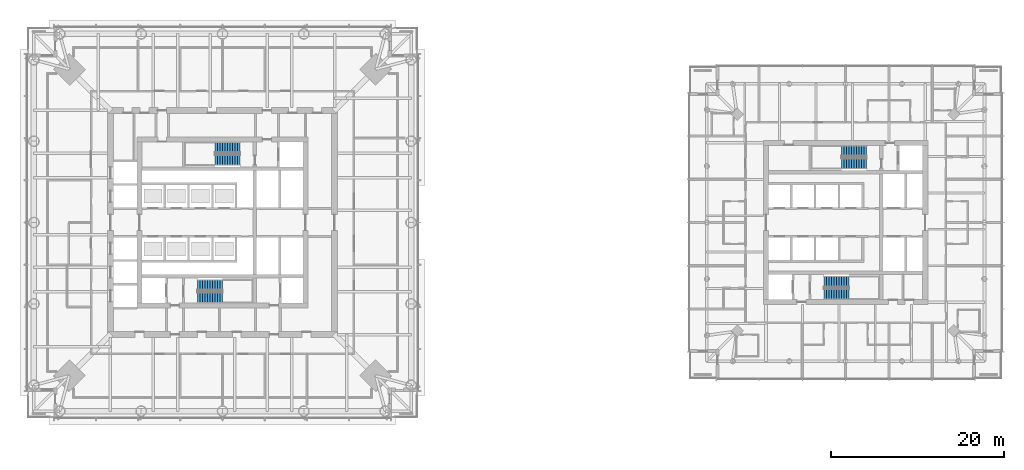
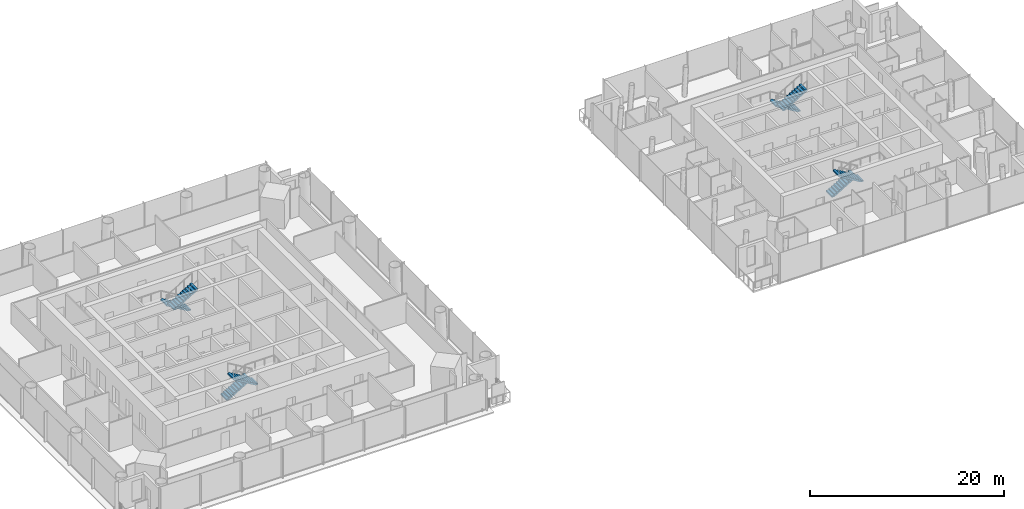
# One storey, part 17 of 27: 8 stair flights, 4 elements without a shape of their own.
"""IFC4 building model written with IfcOpenShell, lengths in metres."""

from ifc_helpers import new_model, si_unit, direction, frame, origin, place, context, subcontext, project, spatial, polyline, outline, extrude, material, type_object, element, aggregate, save


model = new_model("IFC4")

# Units and contexts
model_context = context("Model", 3, precision=1e-05, world=origin(), true_north=direction((0.0, 1.0)))
body_context = subcontext(model_context, "Body", "Model", "MODEL_VIEW")
ifc_project = project(units=[si_unit("LENGTHUNIT", "METRE"), si_unit("AREAUNIT", "SQUARE_METRE"), si_unit("VOLUMEUNIT", "CUBIC_METRE"), si_unit("PLANEANGLEUNIT", "RADIAN"), si_unit("MASSUNIT", "GRAM", prefix="KILO")], contexts=[model_context])

# Site, building, storey
site_placement = place(None, origin())
site = spatial("IfcSite", under=ifc_project, at=site_placement, CompositionType="ELEMENT")
building_placement = place(site_placement, origin())
building = spatial("IfcBuilding", under=site, at=building_placement, Name="Ostroluk Exchange", CompositionType="ELEMENT")
storey_placement = place(building_placement, frame((0.0, 0.0, 89.39990234375)))
storey = spatial("IfcBuildingStorey", under=building, at=storey_placement, Name="L22", CompositionType="ELEMENT", Elevation=89.39990234375)

# Stair, stair flights
ifc_material_1 = material(Name="Concrete C30/37", Category="concrete")
stair_type = type_object("IfcStairType", Name="Exit stair half turn 3800", PredefinedType="HALF_TURN_STAIR", material=ifc_material_1)
stair_1_placement = place(storey_placement, origin())
stair_1 = element("IfcStair", 1, at=stair_1_placement, inside=storey, type_object=stair_type, Name="Stair T1-S1 L22", PredefinedType="HALF_TURN_STAIR")
ifc_material_2 = material(Name="Concrete C30/37", Category="concrete")
stair_flight_type = type_object("IfcStairFlightType", Name="Stair flight 11 risers 172.7 x 290", PredefinedType="STRAIGHT", material=ifc_material_2)
stair_flight_1_placement = place(storey_placement, frame((42.10009765625, 38.77490234375, 0.0), z_axis=(0.0, 0.0, 1.0), x_axis=(1.0, 0.0, 0.0)))
stair_flight_1 = element("IfcStairFlight", 2, at=stair_flight_1_placement, type_object=stair_flight_type, Name="T1-S1 flight 1", NumberOfRisers=11, NumberOfTreads=10, PredefinedType="STRAIGHT", RiserHeight=0.172727273, TreadLength=0.29, context=body_context, shape_type="SweptSolid", body=[
    extrude(outline(polyline([(0.0, 0.0), (0.0, 0.172607421875), (0.2900390625, 0.172607421875), (0.2900390625, 0.345458984375), (0.580078125, 0.345458984375), (0.580078125, 0.51806640625), (0.8701171875, 0.51806640625), (0.8701171875, 0.69091796875), (1.159912109375, 0.69091796875), (1.159912109375, 0.863525390625), (1.449951171875, 0.863525390625), (1.449951171875, 1.036376953125), (1.739990234375, 1.036376953125), (1.739990234375, 1.208984375), (2.030029296875, 1.208984375), (2.030029296875, 1.3818359375), (2.320068359375, 1.3818359375), (2.320068359375, 1.554443359375), (2.610107421875, 1.554443359375), (2.610107421875, 1.727294921875), (2.89990234375, 1.727294921875), (2.89990234375, 1.89990234375), (2.89990234375, 1.552734375), (0.29296875, 0.0), (0.0, 0.0)])), frame((0.0, 0.625, 0.0), z_axis=(0.0, -1.0, 0.0), x_axis=(1.0, 0.0, 0.0)), (0.0, 0.0, 1.0), 1.25),
])
stair_flight_2_placement = place(storey_placement, frame((45.0, 37.324951171875, 1.900146484375), z_axis=(0.0, 0.0, 1.0), x_axis=(-1.0, 0.0, 0.0)))
stair_flight_2 = element("IfcStairFlight", 3, at=stair_flight_2_placement, type_object=stair_flight_type, Name="T1-S1 flight 2", NumberOfRisers=11, NumberOfTreads=10, PredefinedType="STRAIGHT", RiserHeight=0.172727273, TreadLength=0.29, context=body_context, shape_type="SweptSolid", body=[
    extrude(outline(polyline([(0.0, 0.0), (0.0, 0.172607421875), (0.2900390625, 0.172607421875), (0.2900390625, 0.345458984375), (0.580078125, 0.345458984375), (0.580078125, 0.51806640625), (0.8701171875, 0.51806640625), (0.8701171875, 0.69091796875), (1.159912109375, 0.69091796875), (1.159912109375, 0.863525390625), (1.449951171875, 0.863525390625), (1.449951171875, 1.036376953125), (1.739990234375, 1.036376953125), (1.739990234375, 1.208984375), (2.030029296875, 1.208984375), (2.030029296875, 1.3818359375), (2.320068359375, 1.3818359375), (2.320068359375, 1.554443359375), (2.610107421875, 1.554443359375), (2.610107421875, 1.727294921875), (2.89990234375, 1.727294921875), (2.89990234375, 1.89990234375), (2.89990234375, 1.552734375), (0.29296875, 0.0), (0.0, 0.0)])), frame((0.0, 0.625, 0.0), z_axis=(0.0, -1.0, 0.0), x_axis=(1.0, 0.0, 0.0)), (0.0, 0.0, 1.0), 1.25),
])
aggregate(stair_1, [stair_flight_1, stair_flight_2])

stair_2_placement = place(storey_placement, origin())
stair_2 = element("IfcStair", 4, at=stair_2_placement, inside=storey, type_object=stair_type, Name="Stair T1-S2 L22", PredefinedType="HALF_TURN_STAIR")
stair_flight_3_placement = place(storey_placement, frame((47.030029296875, 54.675048828125, 0.0), z_axis=(0.0, 0.0, 1.0), x_axis=(-1.0, 0.0, 0.0)))
stair_flight_3 = element("IfcStairFlight", 5, at=stair_flight_3_placement, type_object=stair_flight_type, Name="T1-S2 flight 1", NumberOfRisers=11, NumberOfTreads=10, PredefinedType="STRAIGHT", RiserHeight=0.172727273, TreadLength=0.29, context=body_context, shape_type="SweptSolid", body=[
    extrude(outline(polyline([(0.0, 0.0), (0.0, 0.172607421875), (0.2900390625, 0.172607421875), (0.2900390625, 0.345458984375), (0.580078125, 0.345458984375), (0.580078125, 0.51806640625), (0.8701171875, 0.51806640625), (0.8701171875, 0.69091796875), (1.159912109375, 0.69091796875), (1.159912109375, 0.863525390625), (1.449951171875, 0.863525390625), (1.449951171875, 1.036376953125), (1.739990234375, 1.036376953125), (1.739990234375, 1.208984375), (2.030029296875, 1.208984375), (2.030029296875, 1.3818359375), (2.320068359375, 1.3818359375), (2.320068359375, 1.554443359375), (2.610107421875, 1.554443359375), (2.610107421875, 1.727294921875), (2.89990234375, 1.727294921875), (2.89990234375, 1.89990234375), (2.89990234375, 1.552734375), (0.29296875, 0.0), (0.0, 0.0)])), frame((0.0, 0.625, 0.0), z_axis=(0.0, -1.0, 0.0), x_axis=(1.0, 0.0, 0.0)), (0.0, 0.0, 1.0), 1.25),
])
stair_flight_4_placement = place(storey_placement, frame((44.1298828125, 53.22509765625, 1.900146484375), z_axis=(0.0, 0.0, 1.0), x_axis=(1.0, 0.0, 0.0)))
stair_flight_4 = element("IfcStairFlight", 6, at=stair_flight_4_placement, type_object=stair_flight_type, Name="T1-S2 flight 2", NumberOfRisers=11, NumberOfTreads=10, PredefinedType="STRAIGHT", RiserHeight=0.172727273, TreadLength=0.29, context=body_context, shape_type="SweptSolid", body=[
    extrude(outline(polyline([(0.0, 0.0), (0.0, 0.172607421875), (0.2900390625, 0.172607421875), (0.2900390625, 0.345458984375), (0.580078125, 0.345458984375), (0.580078125, 0.51806640625), (0.8701171875, 0.51806640625), (0.8701171875, 0.69091796875), (1.159912109375, 0.69091796875), (1.159912109375, 0.863525390625), (1.449951171875, 0.863525390625), (1.449951171875, 1.036376953125), (1.739990234375, 1.036376953125), (1.739990234375, 1.208984375), (2.030029296875, 1.208984375), (2.030029296875, 1.3818359375), (2.320068359375, 1.3818359375), (2.320068359375, 1.554443359375), (2.610107421875, 1.554443359375), (2.610107421875, 1.727294921875), (2.89990234375, 1.727294921875), (2.89990234375, 1.89990234375), (2.89990234375, 1.552734375), (0.29296875, 0.0), (0.0, 0.0)])), frame((0.0, 0.625, 0.0), z_axis=(0.0, -1.0, 0.0), x_axis=(1.0, 0.0, 0.0)), (0.0, 0.0, 1.0), 1.25),
])
aggregate(stair_2, [stair_flight_3, stair_flight_4])

stair_3_placement = place(storey_placement, origin())
stair_3 = element("IfcStair", 7, at=stair_3_placement, inside=storey, type_object=stair_type, Name="Stair T2-S1 L22", PredefinedType="HALF_TURN_STAIR")
stair_flight_5_placement = place(storey_placement, frame((114.5, 39.175048828125, 0.0), z_axis=(0.0, 0.0, 1.0), x_axis=(1.0, 0.0, 0.0)))
stair_flight_5 = element("IfcStairFlight", 8, at=stair_flight_5_placement, type_object=stair_flight_type, Name="T2-S1 flight 1", NumberOfRisers=11, NumberOfTreads=10, PredefinedType="STRAIGHT", RiserHeight=0.172727273, TreadLength=0.29, context=body_context, shape_type="SweptSolid", body=[
    extrude(outline(polyline([(0.0, 0.0), (0.0, 0.172607421875), (0.2900390625, 0.172607421875), (0.2900390625, 0.345458984375), (0.580078125, 0.345458984375), (0.580078125, 0.51806640625), (0.8701171875, 0.51806640625), (0.8701171875, 0.69091796875), (1.159912109375, 0.69091796875), (1.159912109375, 0.863525390625), (1.449951171875, 0.863525390625), (1.449951171875, 1.036376953125), (1.739990234375, 1.036376953125), (1.739990234375, 1.208984375), (2.030029296875, 1.208984375), (2.030029296875, 1.3818359375), (2.320068359375, 1.3818359375), (2.320068359375, 1.554443359375), (2.610107421875, 1.554443359375), (2.610107421875, 1.727294921875), (2.89990234375, 1.727294921875), (2.89990234375, 1.89990234375), (2.89990234375, 1.552734375), (0.29296875, 0.0), (0.0, 0.0)])), frame((0.0, 0.625, 0.0), z_axis=(0.0, -1.0, 0.0), x_axis=(1.0, 0.0, 0.0)), (0.0, 0.0, 1.0), 1.25),
])
stair_flight_6_placement = place(storey_placement, frame((117.39990234375, 37.72509765625, 1.900146484375), z_axis=(0.0, 0.0, 1.0), x_axis=(-1.0, 0.0, 0.0)))
stair_flight_6 = element("IfcStairFlight", 9, at=stair_flight_6_placement, type_object=stair_flight_type, Name="T2-S1 flight 2", NumberOfRisers=11, NumberOfTreads=10, PredefinedType="STRAIGHT", RiserHeight=0.172727273, TreadLength=0.29, context=body_context, shape_type="SweptSolid", body=[
    extrude(outline(polyline([(0.0, 0.0), (0.0, 0.172607421875), (0.2900390625, 0.172607421875), (0.2900390625, 0.345458984375), (0.580078125, 0.345458984375), (0.580078125, 0.51806640625), (0.8701171875, 0.51806640625), (0.8701171875, 0.69091796875), (1.159912109375, 0.69091796875), (1.159912109375, 0.863525390625), (1.449951171875, 0.863525390625), (1.449951171875, 1.036376953125), (1.739990234375, 1.036376953125), (1.739990234375, 1.208984375), (2.030029296875, 1.208984375), (2.030029296875, 1.3818359375), (2.320068359375, 1.3818359375), (2.320068359375, 1.554443359375), (2.610107421875, 1.554443359375), (2.610107421875, 1.727294921875), (2.89990234375, 1.727294921875), (2.89990234375, 1.89990234375), (2.89990234375, 1.552734375), (0.29296875, 0.0), (0.0, 0.0)])), frame((0.0, 0.625, 0.0), z_axis=(0.0, -1.0, 0.0), x_axis=(1.0, 0.0, 0.0)), (0.0, 0.0, 1.0), 1.25),
])
aggregate(stair_3, [stair_flight_5, stair_flight_6])

stair_4_placement = place(storey_placement, origin())
stair_4 = element("IfcStair", 10, at=stair_4_placement, inside=storey, type_object=stair_type, Name="Stair T2-S2 L22", PredefinedType="HALF_TURN_STAIR")
stair_flight_7_placement = place(storey_placement, frame((119.429931640625, 54.27490234375, 0.0), z_axis=(0.0, 0.0, 1.0), x_axis=(-1.0, 0.0, 0.0)))
stair_flight_7 = element("IfcStairFlight", 11, at=stair_flight_7_placement, type_object=stair_flight_type, Name="T2-S2 flight 1", NumberOfRisers=11, NumberOfTreads=10, PredefinedType="STRAIGHT", RiserHeight=0.172727273, TreadLength=0.29, context=body_context, shape_type="SweptSolid", body=[
    extrude(outline(polyline([(0.0, 0.0), (0.0, 0.172607421875), (0.2900390625, 0.172607421875), (0.2900390625, 0.345458984375), (0.580078125, 0.345458984375), (0.580078125, 0.51806640625), (0.8701171875, 0.51806640625), (0.8701171875, 0.69091796875), (1.159912109375, 0.69091796875), (1.159912109375, 0.863525390625), (1.449951171875, 0.863525390625), (1.449951171875, 1.036376953125), (1.739990234375, 1.036376953125), (1.739990234375, 1.208984375), (2.030029296875, 1.208984375), (2.030029296875, 1.3818359375), (2.320068359375, 1.3818359375), (2.320068359375, 1.554443359375), (2.610107421875, 1.554443359375), (2.610107421875, 1.727294921875), (2.89990234375, 1.727294921875), (2.89990234375, 1.89990234375), (2.89990234375, 1.552734375), (0.29296875, 0.0), (0.0, 0.0)])), frame((0.0, 0.625, 0.0), z_axis=(0.0, -1.0, 0.0), x_axis=(1.0, 0.0, 0.0)), (0.0, 0.0, 1.0), 1.25),
])
stair_flight_8_placement = place(storey_placement, frame((116.530029296875, 52.824951171875, 1.900146484375), z_axis=(0.0, 0.0, 1.0), x_axis=(1.0, 0.0, 0.0)))
stair_flight_8 = element("IfcStairFlight", 12, at=stair_flight_8_placement, type_object=stair_flight_type, Name="T2-S2 flight 2", NumberOfRisers=11, NumberOfTreads=10, PredefinedType="STRAIGHT", RiserHeight=0.172727273, TreadLength=0.29, context=body_context, shape_type="SweptSolid", body=[
    extrude(outline(polyline([(0.0, 0.0), (0.0, 0.172607421875), (0.2900390625, 0.172607421875), (0.2900390625, 0.345458984375), (0.580078125, 0.345458984375), (0.580078125, 0.51806640625), (0.8701171875, 0.51806640625), (0.8701171875, 0.69091796875), (1.159912109375, 0.69091796875), (1.159912109375, 0.863525390625), (1.449951171875, 0.863525390625), (1.449951171875, 1.036376953125), (1.739990234375, 1.036376953125), (1.739990234375, 1.208984375), (2.030029296875, 1.208984375), (2.030029296875, 1.3818359375), (2.320068359375, 1.3818359375), (2.320068359375, 1.554443359375), (2.610107421875, 1.554443359375), (2.610107421875, 1.727294921875), (2.89990234375, 1.727294921875), (2.89990234375, 1.89990234375), (2.89990234375, 1.552734375), (0.29296875, 0.0), (0.0, 0.0)])), frame((0.0, 0.625, 0.0), z_axis=(0.0, -1.0, 0.0), x_axis=(1.0, 0.0, 0.0)), (0.0, 0.0, 1.0), 1.25),
])
aggregate(stair_4, [stair_flight_7, stair_flight_8])

save(model, "model.ifc")
